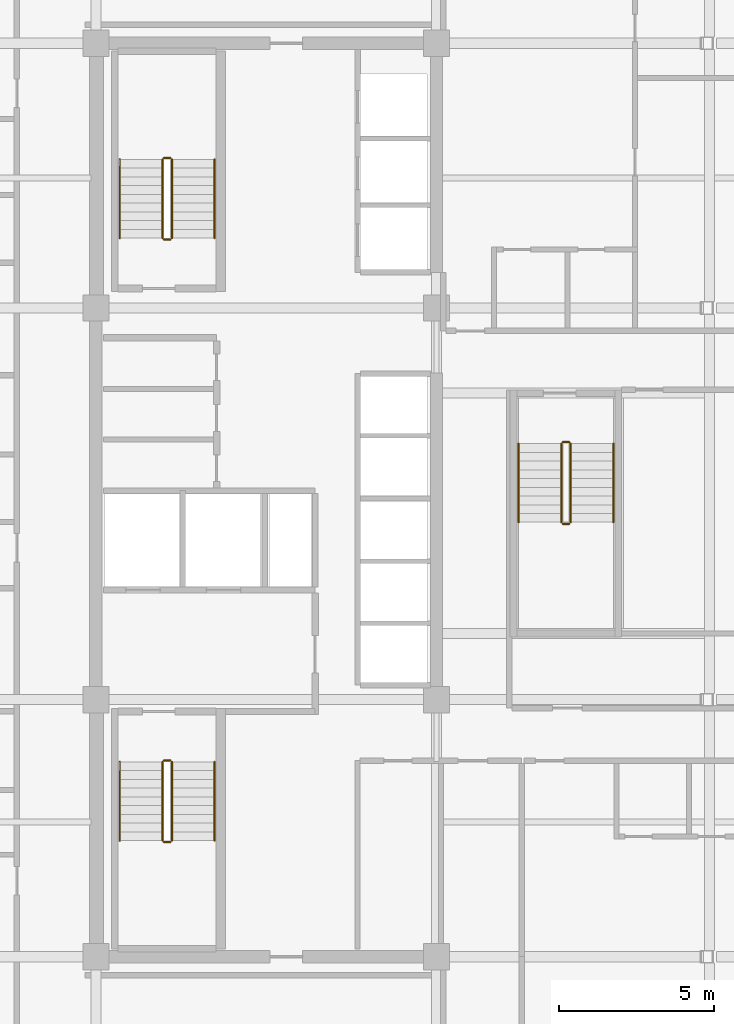
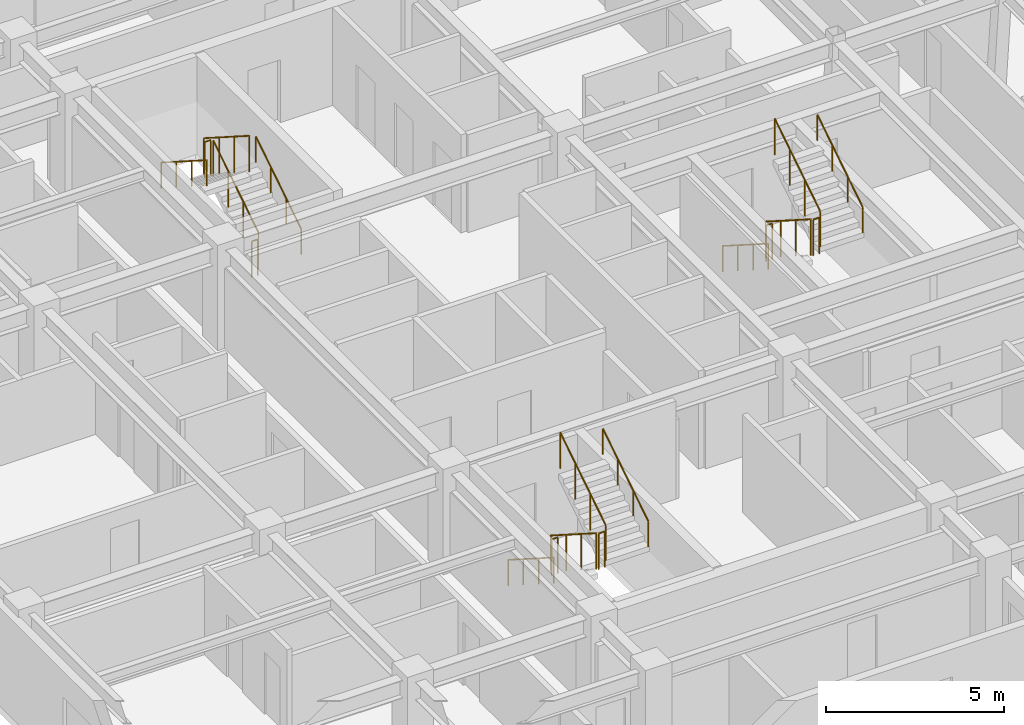
# One storey, part 9 of 9: 18 railings.
"""IFC4 building model written with IfcOpenShell, lengths in metres."""

from ifc_helpers import new_model, si_unit, direction, frame, origin, origin_2d, place, context, subcontext, project, spatial, circle, extrude, material, type_object, element, save


model = new_model("IFC4")

# Units and contexts
model_context = context("Model", 3, precision=1e-05, world=origin(), true_north=direction((0.0, 1.0)))
body_context = subcontext(model_context, "Body", "Model", "MODEL_VIEW")
ifc_project = project(units=[si_unit("LENGTHUNIT", "METRE"), si_unit("AREAUNIT", "SQUARE_METRE"), si_unit("VOLUMEUNIT", "CUBIC_METRE"), si_unit("PLANEANGLEUNIT", "RADIAN"), si_unit("MASSUNIT", "GRAM", prefix="KILO")], contexts=[model_context])

# Site, building, storey
site_placement = place(None, origin())
site = spatial("IfcSite", under=ifc_project, at=site_placement, CompositionType="ELEMENT")
building_placement = place(site_placement, origin())
building = spatial("IfcBuilding", under=site, at=building_placement, Name="Ochreholt Gables", CompositionType="ELEMENT")
storey_placement = place(building_placement, frame((0.0, 0.0, 113.39990234375)))
storey = spatial("IfcBuildingStorey", under=building, at=storey_placement, Name="L29", CompositionType="ELEMENT", Elevation=113.39990234375)

# Railings
ifc_material_1 = material(Name="Painted Steel Stair Guardrail", Category="steel")
railing_type_1 = type_object("IfcRailingType", Name="RL-ST-GUARD", PredefinedType="GUARDRAIL", material=ifc_material_1)
railing_1_placement = place(storey_placement, frame((26.35009765625, 15.5400390625, 0.18017578125)))
element("IfcRailing", 1, at=railing_1_placement, inside=storey, type_object=railing_type_1, Name="L29 ST-1 stair guard 1", PredefinedType="GUARDRAIL", context=body_context, shape_type="SweptSolid", body=[
    extrude(circle(Radius=0.02392578125, at=origin_2d()), frame((0.0, 0.0, 1.22607421875), z_axis=(0.0, -0.842949592929, 0.537992549931), x_axis=(1.0, 0.0, 0.0)), (0.0, 0.0, 1.0), 3.010986328125),
    extrude(circle(Radius=0.02099609375, at=origin_2d()), origin(), (0.0, 0.0, 1.0), 1.201904296875),
    extrude(circle(Radius=0.02099609375, at=origin_2d()), frame((0.0, -0.845947265625, 0.5400390625)), (0.0, 0.0, 1.0), 1.201904296875),
    extrude(circle(Radius=0.02099609375, at=origin_2d()), frame((0.0, -1.692138671875, 1.079833984375)), (0.0, 0.0, 1.0), 1.201904296875),
    extrude(circle(Radius=0.02099609375, at=origin_2d()), frame((0.0, -2.5380859375, 1.619873046875)), (0.0, 0.0, 1.0), 1.201904296875),
])
railing_2_placement = place(storey_placement, frame((26.39990234375, 12.951904296875, 1.800048828125)))
element("IfcRailing", 2, at=railing_2_placement, inside=storey, type_object=railing_type_1, Name="L29 ST-1 stair guard 2", PredefinedType="GUARDRAIL", context=body_context, shape_type="SweptSolid", body=[
    extrude(circle(Radius=0.02392578125, at=origin_2d()), frame((0.0, 0.0, 1.22607421875), z_axis=(1.0, 0.0, 0.0), x_axis=(0.0, 1.0, 0.0)), (0.0, 0.0, 1.0), 0.2001953125),
    extrude(circle(Radius=0.02099609375, at=origin_2d()), origin(), (0.0, 0.0, 1.0), 1.201904296875),
    extrude(circle(Radius=0.02099609375, at=origin_2d()), frame((0.2001953125, 0.0, 0.0)), (0.0, 0.0, 1.0), 1.201904296875),
])
railing_3_placement = place(storey_placement, frame((26.64990234375, 13.001953125, 1.97998046875)))
element("IfcRailing", 3, at=railing_3_placement, inside=storey, type_object=railing_type_1, Name="L29 ST-1 stair guard 3", PredefinedType="GUARDRAIL", context=body_context, shape_type="SweptSolid", body=[
    extrude(circle(Radius=0.02392578125, at=origin_2d()), frame((0.0, 0.0, 1.22607421875), z_axis=(0.0, 0.842912820907, 0.538050161556), x_axis=(-1.0, 0.0, 0.0)), (0.0, 0.0, 1.0), 3.010986328125),
    extrude(circle(Radius=0.02099609375, at=origin_2d()), origin(), (0.0, 0.0, 1.0), 1.201904296875),
    extrude(circle(Radius=0.02099609375, at=origin_2d()), frame((0.0, 0.845947265625, 0.5400390625)), (0.0, 0.0, 1.0), 1.201904296875),
    extrude(circle(Radius=0.02099609375, at=origin_2d()), frame((0.0, 1.692138671875, 1.080078125)), (0.0, 0.0, 1.0), 1.201904296875),
    extrude(circle(Radius=0.02099609375, at=origin_2d()), frame((0.0, 2.5380859375, 1.6201171875)), (0.0, 0.0, 1.0), 1.201904296875),
])
railing_4_placement = place(storey_placement, frame((26.39990234375, 15.590087890625, 0.0)))
element("IfcRailing", 4, at=railing_4_placement, inside=storey, type_object=railing_type_1, Name="L29 ST-1 stair guard 4", PredefinedType="GUARDRAIL", context=body_context, shape_type="SweptSolid", body=[
    extrude(circle(Radius=0.02392578125, at=origin_2d()), frame((0.0, 0.0, 1.22607421875), z_axis=(1.0, 0.0, 0.0), x_axis=(0.0, 1.0, 0.0)), (0.0, 0.0, 1.0), 0.2001953125),
    extrude(circle(Radius=0.02099609375, at=origin_2d()), origin(), (0.0, 0.0, 1.0), 1.201904296875),
    extrude(circle(Radius=0.02099609375, at=origin_2d()), frame((0.2001953125, 0.0, 0.0)), (0.0, 0.0, 1.0), 1.201904296875),
])
railing_5_placement = place(storey_placement, frame((26.64990234375, 32.4599609375, 0.18017578125)))
element("IfcRailing", 5, at=railing_5_placement, inside=storey, type_object=railing_type_1, Name="L29 ST-2 stair guard 1", PredefinedType="GUARDRAIL", context=body_context, shape_type="SweptSolid", body=[
    extrude(circle(Radius=0.02392578125, at=origin_2d()), frame((0.0, 0.0, 1.22607421875), z_axis=(0.0, 0.842949592929, 0.537992549931), x_axis=(-1.0, 0.0, 0.0)), (0.0, 0.0, 1.0), 3.010986328125),
    extrude(circle(Radius=0.02099609375, at=origin_2d()), origin(), (0.0, 0.0, 1.0), 1.201904296875),
    extrude(circle(Radius=0.02099609375, at=origin_2d()), frame((0.0, 0.845947265625, 0.5400390625)), (0.0, 0.0, 1.0), 1.201904296875),
    extrude(circle(Radius=0.02099609375, at=origin_2d()), frame((0.0, 1.692138671875, 1.079833984375)), (0.0, 0.0, 1.0), 1.201904296875),
    extrude(circle(Radius=0.02099609375, at=origin_2d()), frame((0.0, 2.5380859375, 1.619873046875)), (0.0, 0.0, 1.0), 1.201904296875),
])
railing_6_placement = place(storey_placement, frame((26.60009765625, 35.048095703125, 1.800048828125)))
element("IfcRailing", 6, at=railing_6_placement, inside=storey, type_object=railing_type_1, Name="L29 ST-2 stair guard 2", PredefinedType="GUARDRAIL", context=body_context, shape_type="SweptSolid", body=[
    extrude(circle(Radius=0.02392578125, at=origin_2d()), frame((0.0, 0.0, 1.22607421875), z_axis=(-1.0, 0.0, 0.0), x_axis=(0.0, -1.0, 0.0)), (0.0, 0.0, 1.0), 0.2001953125),
    extrude(circle(Radius=0.02099609375, at=origin_2d()), origin(), (0.0, 0.0, 1.0), 1.201904296875),
    extrude(circle(Radius=0.02099609375, at=origin_2d()), frame((-0.2001953125, 0.0, 0.0)), (0.0, 0.0, 1.0), 1.201904296875),
])
railing_7_placement = place(storey_placement, frame((26.35009765625, 34.998046875, 1.97998046875)))
element("IfcRailing", 7, at=railing_7_placement, inside=storey, type_object=railing_type_1, Name="L29 ST-2 stair guard 3", PredefinedType="GUARDRAIL", context=body_context, shape_type="SweptSolid", body=[
    extrude(circle(Radius=0.02392578125, at=origin_2d()), frame((0.0, 0.0, 1.22607421875), z_axis=(0.0, -0.842912820907, 0.538050161556), x_axis=(1.0, 0.0, 0.0)), (0.0, 0.0, 1.0), 3.010986328125),
    extrude(circle(Radius=0.02099609375, at=origin_2d()), origin(), (0.0, 0.0, 1.0), 1.201904296875),
    extrude(circle(Radius=0.02099609375, at=origin_2d()), frame((0.0, -0.845947265625, 0.5400390625)), (0.0, 0.0, 1.0), 1.201904296875),
    extrude(circle(Radius=0.02099609375, at=origin_2d()), frame((0.0, -1.692138671875, 1.080078125)), (0.0, 0.0, 1.0), 1.201904296875),
    extrude(circle(Radius=0.02099609375, at=origin_2d()), frame((0.0, -2.5380859375, 1.6201171875)), (0.0, 0.0, 1.0), 1.201904296875),
])
railing_8_placement = place(storey_placement, frame((26.60009765625, 32.409912109375, 0.0)))
element("IfcRailing", 8, at=railing_8_placement, inside=storey, type_object=railing_type_1, Name="L29 ST-2 stair guard 4", PredefinedType="GUARDRAIL", context=body_context, shape_type="SweptSolid", body=[
    extrude(circle(Radius=0.02392578125, at=origin_2d()), frame((0.0, 0.0, 1.22607421875), z_axis=(-1.0, 0.0, 0.0), x_axis=(0.0, -1.0, 0.0)), (0.0, 0.0, 1.0), 0.2001953125),
    extrude(circle(Radius=0.02099609375, at=origin_2d()), origin(), (0.0, 0.0, 1.0), 1.201904296875),
    extrude(circle(Radius=0.02099609375, at=origin_2d()), frame((-0.2001953125, 0.0, 0.0)), (0.0, 0.0, 1.0), 1.201904296875),
])
railing_9_placement = place(storey_placement, frame((39.22998046875, 25.820068359375, 0.18017578125)))
element("IfcRailing", 9, at=railing_9_placement, inside=storey, type_object=railing_type_1, Name="L29 ST-C3 stair guard 1", PredefinedType="GUARDRAIL", context=body_context, shape_type="SweptSolid", body=[
    extrude(circle(Radius=0.02392578125, at=origin_2d()), frame((0.0, 0.0, 1.22607421875), z_axis=(0.0, -0.842949592929, 0.537992549931), x_axis=(1.0, 0.0, 0.0)), (0.0, 0.0, 1.0), 3.010986328125),
    extrude(circle(Radius=0.02099609375, at=origin_2d()), origin(), (0.0, 0.0, 1.0), 1.201904296875),
    extrude(circle(Radius=0.02099609375, at=origin_2d()), frame((0.0, -0.845947265625, 0.5400390625)), (0.0, 0.0, 1.0), 1.201904296875),
    extrude(circle(Radius=0.02099609375, at=origin_2d()), frame((0.0, -1.692138671875, 1.079833984375)), (0.0, 0.0, 1.0), 1.201904296875),
    extrude(circle(Radius=0.02099609375, at=origin_2d()), frame((0.0, -2.5380859375, 1.619873046875)), (0.0, 0.0, 1.0), 1.201904296875),
])
railing_10_placement = place(storey_placement, frame((39.280029296875, 23.23193359375, 1.800048828125)))
element("IfcRailing", 10, at=railing_10_placement, inside=storey, type_object=railing_type_1, Name="L29 ST-C3 stair guard 2", PredefinedType="GUARDRAIL", context=body_context, shape_type="SweptSolid", body=[
    extrude(circle(Radius=0.02392578125, at=origin_2d()), frame((0.0, 0.0, 1.22607421875), z_axis=(1.0, 0.0, 0.0), x_axis=(0.0, 1.0, 0.0)), (0.0, 0.0, 1.0), 0.199951171875),
    extrude(circle(Radius=0.02099609375, at=origin_2d()), origin(), (0.0, 0.0, 1.0), 1.201904296875),
    extrude(circle(Radius=0.02099609375, at=origin_2d()), frame((0.199951171875, 0.0, 0.0)), (0.0, 0.0, 1.0), 1.201904296875),
])
railing_11_placement = place(storey_placement, frame((39.530029296875, 23.281982421875, 1.97998046875)))
element("IfcRailing", 11, at=railing_11_placement, inside=storey, type_object=railing_type_1, Name="L29 ST-C3 stair guard 3", PredefinedType="GUARDRAIL", context=body_context, shape_type="SweptSolid", body=[
    extrude(circle(Radius=0.02392578125, at=origin_2d()), frame((0.0, 0.0, 1.22607421875), z_axis=(0.0, 0.842912820907, 0.538050161556), x_axis=(-1.0, 0.0, 0.0)), (0.0, 0.0, 1.0), 3.010986328125),
    extrude(circle(Radius=0.02099609375, at=origin_2d()), origin(), (0.0, 0.0, 1.0), 1.201904296875),
    extrude(circle(Radius=0.02099609375, at=origin_2d()), frame((0.0, 0.845947265625, 0.5400390625)), (0.0, 0.0, 1.0), 1.201904296875),
    extrude(circle(Radius=0.02099609375, at=origin_2d()), frame((0.0, 1.692138671875, 1.080078125)), (0.0, 0.0, 1.0), 1.201904296875),
    extrude(circle(Radius=0.02099609375, at=origin_2d()), frame((0.0, 2.5380859375, 1.6201171875)), (0.0, 0.0, 1.0), 1.201904296875),
])
railing_12_placement = place(storey_placement, frame((39.280029296875, 25.8701171875, 0.0)))
element("IfcRailing", 12, at=railing_12_placement, inside=storey, type_object=railing_type_1, Name="L29 ST-C3 stair guard 4", PredefinedType="GUARDRAIL", context=body_context, shape_type="SweptSolid", body=[
    extrude(circle(Radius=0.02392578125, at=origin_2d()), frame((0.0, 0.0, 1.22607421875), z_axis=(1.0, 0.0, 0.0), x_axis=(0.0, 1.0, 0.0)), (0.0, 0.0, 1.0), 0.199951171875),
    extrude(circle(Radius=0.02099609375, at=origin_2d()), origin(), (0.0, 0.0, 1.0), 1.201904296875),
    extrude(circle(Radius=0.02099609375, at=origin_2d()), frame((0.199951171875, 0.0, 0.0)), (0.0, 0.0, 1.0), 1.201904296875),
])
ifc_material_2 = material(Name="Brushed Stainless Steel Wall Handrail", Category="steel")
railing_type_2 = type_object("IfcRailingType", Name="RL-ST-HAND", PredefinedType="HANDRAIL", material=ifc_material_2)
railing_13_placement = place(storey_placement, frame((24.969970703125, 15.5400390625, 0.18017578125)))
element("IfcRailing", 13, at=railing_13_placement, inside=storey, type_object=railing_type_2, Name="L29 ST-1 stair handrail 1", PredefinedType="HANDRAIL", context=body_context, shape_type="SweptSolid", body=[
    extrude(circle(Radius=0.02392578125, at=origin_2d()), frame((0.0, 0.0, 0.8759765625), z_axis=(0.0, -0.842949592929, 0.537992549931), x_axis=(1.0, 0.0, 0.0)), (0.0, 0.0, 1.0), 3.010986328125),
    extrude(circle(Radius=0.02099609375, at=origin_2d()), origin(), (0.0, 0.0, 1.0), 0.851806640625),
    extrude(circle(Radius=0.02099609375, at=origin_2d()), frame((0.0, -0.845947265625, 0.5400390625)), (0.0, 0.0, 1.0), 0.851806640625),
    extrude(circle(Radius=0.02099609375, at=origin_2d()), frame((0.0, -1.692138671875, 1.079833984375)), (0.0, 0.0, 1.0), 0.851806640625),
    extrude(circle(Radius=0.02099609375, at=origin_2d()), frame((0.0, -2.5380859375, 1.619873046875)), (0.0, 0.0, 1.0), 0.851806640625),
])
railing_14_placement = place(storey_placement, frame((28.030029296875, 13.001953125, 1.97998046875)))
element("IfcRailing", 14, at=railing_14_placement, inside=storey, type_object=railing_type_2, Name="L29 ST-1 stair handrail 2", PredefinedType="HANDRAIL", context=body_context, shape_type="SweptSolid", body=[
    extrude(circle(Radius=0.02392578125, at=origin_2d()), frame((0.0, 0.0, 0.8759765625), z_axis=(0.0, 0.842912820907, 0.538050161556), x_axis=(-1.0, 0.0, 0.0)), (0.0, 0.0, 1.0), 3.010986328125),
    extrude(circle(Radius=0.02099609375, at=origin_2d()), origin(), (0.0, 0.0, 1.0), 0.851806640625),
    extrude(circle(Radius=0.02099609375, at=origin_2d()), frame((0.0, 0.845947265625, 0.5400390625)), (0.0, 0.0, 1.0), 0.851806640625),
    extrude(circle(Radius=0.02099609375, at=origin_2d()), frame((0.0, 1.692138671875, 1.080078125)), (0.0, 0.0, 1.0), 0.851806640625),
    extrude(circle(Radius=0.02099609375, at=origin_2d()), frame((0.0, 2.5380859375, 1.6201171875)), (0.0, 0.0, 1.0), 0.851806640625),
])
railing_15_placement = place(storey_placement, frame((28.030029296875, 32.4599609375, 0.18017578125)))
element("IfcRailing", 15, at=railing_15_placement, inside=storey, type_object=railing_type_2, Name="L29 ST-2 stair handrail 1", PredefinedType="HANDRAIL", context=body_context, shape_type="SweptSolid", body=[
    extrude(circle(Radius=0.02392578125, at=origin_2d()), frame((0.0, 0.0, 0.8759765625), z_axis=(0.0, 0.842949592929, 0.537992549931), x_axis=(-1.0, 0.0, 0.0)), (0.0, 0.0, 1.0), 3.010986328125),
    extrude(circle(Radius=0.02099609375, at=origin_2d()), origin(), (0.0, 0.0, 1.0), 0.851806640625),
    extrude(circle(Radius=0.02099609375, at=origin_2d()), frame((0.0, 0.845947265625, 0.5400390625)), (0.0, 0.0, 1.0), 0.851806640625),
    extrude(circle(Radius=0.02099609375, at=origin_2d()), frame((0.0, 1.692138671875, 1.079833984375)), (0.0, 0.0, 1.0), 0.851806640625),
    extrude(circle(Radius=0.02099609375, at=origin_2d()), frame((0.0, 2.5380859375, 1.619873046875)), (0.0, 0.0, 1.0), 0.851806640625),
])
railing_16_placement = place(storey_placement, frame((24.969970703125, 34.998046875, 1.97998046875)))
element("IfcRailing", 16, at=railing_16_placement, inside=storey, type_object=railing_type_2, Name="L29 ST-2 stair handrail 2", PredefinedType="HANDRAIL", context=body_context, shape_type="SweptSolid", body=[
    extrude(circle(Radius=0.02392578125, at=origin_2d()), frame((0.0, 0.0, 0.8759765625), z_axis=(0.0, -0.842912820907, 0.538050161556), x_axis=(1.0, 0.0, 0.0)), (0.0, 0.0, 1.0), 3.010986328125),
    extrude(circle(Radius=0.02099609375, at=origin_2d()), origin(), (0.0, 0.0, 1.0), 0.851806640625),
    extrude(circle(Radius=0.02099609375, at=origin_2d()), frame((0.0, -0.845947265625, 0.5400390625)), (0.0, 0.0, 1.0), 0.851806640625),
    extrude(circle(Radius=0.02099609375, at=origin_2d()), frame((0.0, -1.692138671875, 1.080078125)), (0.0, 0.0, 1.0), 0.851806640625),
    extrude(circle(Radius=0.02099609375, at=origin_2d()), frame((0.0, -2.5380859375, 1.6201171875)), (0.0, 0.0, 1.0), 0.851806640625),
])
railing_17_placement = place(storey_placement, frame((37.85009765625, 25.820068359375, 0.18017578125)))
element("IfcRailing", 17, at=railing_17_placement, inside=storey, type_object=railing_type_2, Name="L29 ST-C3 stair handrail 1", PredefinedType="HANDRAIL", context=body_context, shape_type="SweptSolid", body=[
    extrude(circle(Radius=0.02392578125, at=origin_2d()), frame((0.0, 0.0, 0.8759765625), z_axis=(0.0, -0.842949592929, 0.537992549931), x_axis=(1.0, 0.0, 0.0)), (0.0, 0.0, 1.0), 3.010986328125),
    extrude(circle(Radius=0.02099609375, at=origin_2d()), origin(), (0.0, 0.0, 1.0), 0.851806640625),
    extrude(circle(Radius=0.02099609375, at=origin_2d()), frame((0.0, -0.845947265625, 0.5400390625)), (0.0, 0.0, 1.0), 0.851806640625),
    extrude(circle(Radius=0.02099609375, at=origin_2d()), frame((0.0, -1.692138671875, 1.079833984375)), (0.0, 0.0, 1.0), 0.851806640625),
    extrude(circle(Radius=0.02099609375, at=origin_2d()), frame((0.0, -2.5380859375, 1.619873046875)), (0.0, 0.0, 1.0), 0.851806640625),
])
railing_18_placement = place(storey_placement, frame((40.909912109375, 23.281982421875, 1.97998046875)))
element("IfcRailing", 18, at=railing_18_placement, inside=storey, type_object=railing_type_2, Name="L29 ST-C3 stair handrail 2", PredefinedType="HANDRAIL", context=body_context, shape_type="SweptSolid", body=[
    extrude(circle(Radius=0.02392578125, at=origin_2d()), frame((0.0, 0.0, 0.8759765625), z_axis=(0.0, 0.842912820907, 0.538050161556), x_axis=(-1.0, 0.0, 0.0)), (0.0, 0.0, 1.0), 3.010986328125),
    extrude(circle(Radius=0.02099609375, at=origin_2d()), origin(), (0.0, 0.0, 1.0), 0.851806640625),
    extrude(circle(Radius=0.02099609375, at=origin_2d()), frame((0.0, 0.845947265625, 0.5400390625)), (0.0, 0.0, 1.0), 0.851806640625),
    extrude(circle(Radius=0.02099609375, at=origin_2d()), frame((0.0, 1.692138671875, 1.080078125)), (0.0, 0.0, 1.0), 0.851806640625),
    extrude(circle(Radius=0.02099609375, at=origin_2d()), frame((0.0, 2.5380859375, 1.6201171875)), (0.0, 0.0, 1.0), 0.851806640625),
])

save(model, "model.ifc")
